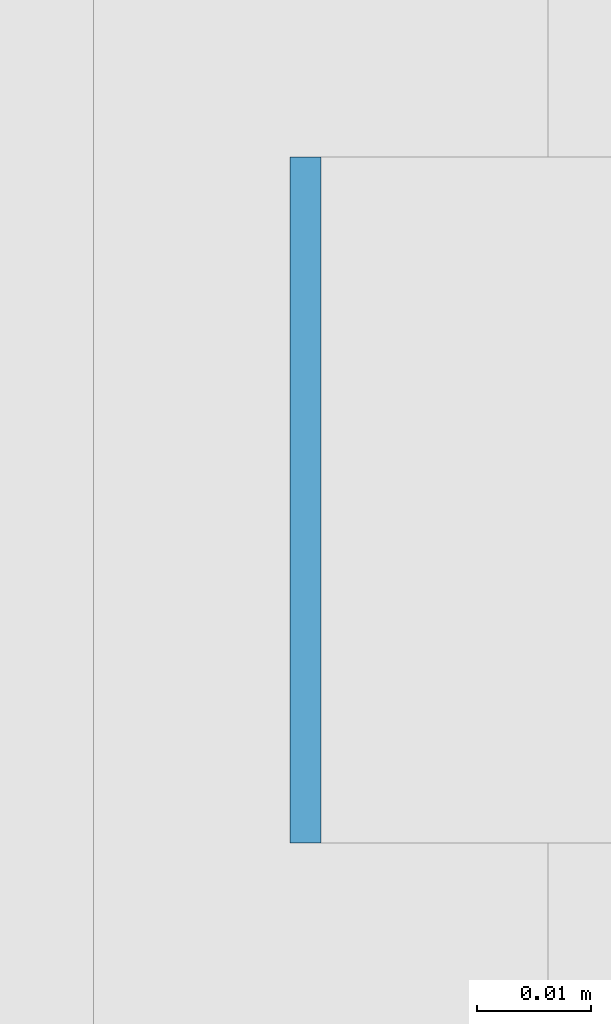
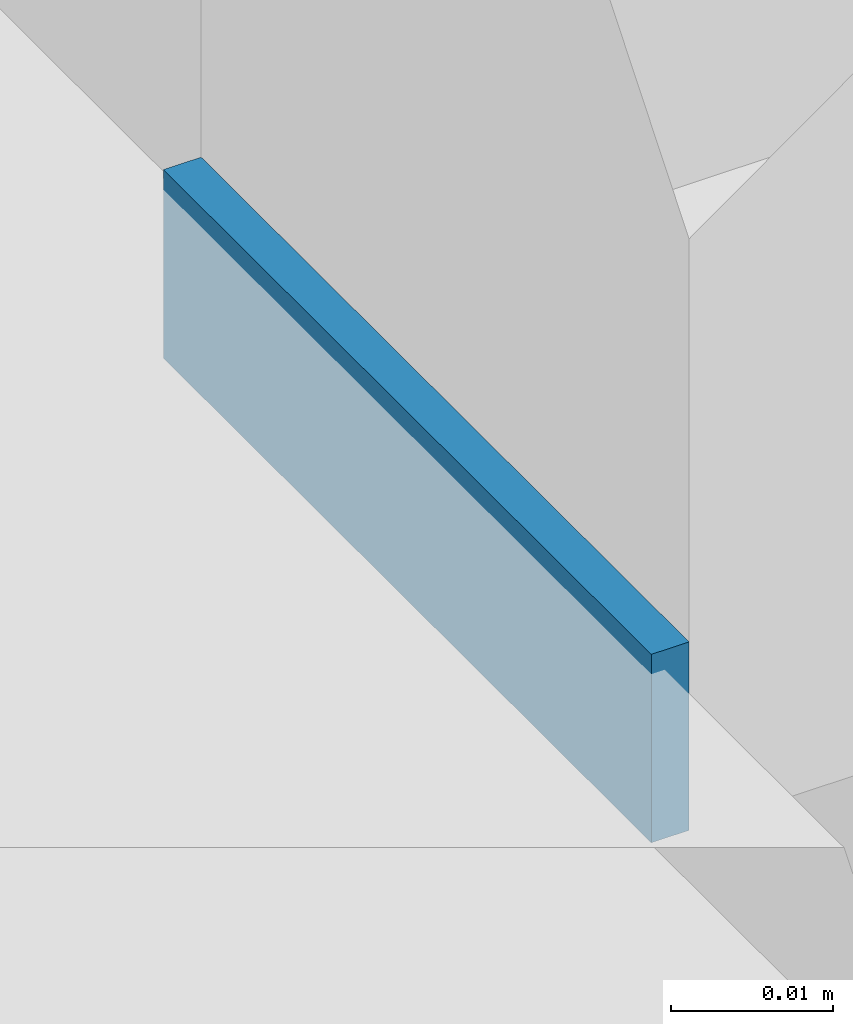
# One storey, part 566 of 646: 1 discrete accessory.
"""IFC4 building model written with IfcOpenShell, lengths in metres."""

from ifc_helpers import new_model, si_unit, direction, frame, origin, origin_2d, place, context, subcontext, project, spatial, rectangle, extrude, material, type_object, element, save


model = new_model("IFC4")

# Units and contexts
model_context = context("Model", 3, precision=1e-05, world=origin(), true_north=direction((0.0, 1.0)))
body_context = subcontext(model_context, "Body", "Model", "MODEL_VIEW")
ifc_project = project(units=[si_unit("LENGTHUNIT", "METRE"), si_unit("AREAUNIT", "SQUARE_METRE"), si_unit("VOLUMEUNIT", "CUBIC_METRE"), si_unit("PLANEANGLEUNIT", "RADIAN"), si_unit("MASSUNIT", "GRAM", prefix="KILO")], contexts=[model_context])

# Site, building, storey
site_placement = place(None, origin())
site = spatial("IfcSite", under=ifc_project, at=site_placement, CompositionType="ELEMENT")
building_placement = place(site_placement, origin())
building = spatial("IfcBuilding", under=site, at=building_placement, Name="Silverbay Arena", CompositionType="ELEMENT")
storey_placement = place(building_placement, frame((0.0, 0.0, 33.5)))
storey = spatial("IfcBuildingStorey", under=building, at=storey_placement, Name="L05", CompositionType="ELEMENT", Elevation=33.5)

# Discrete accessory
ifc_material = material(Name="Steel S355", Category="steel")
discrete_accessory_type = type_object("IfcDiscreteAccessoryType", Name="Steel bracket plate", PredefinedType="BRACKET", material=ifc_material)
discrete_accessory_placement = place(storey_placement, frame((207.128662109375, 104.142822265625, 4.0), z_axis=(0.0, 0.0, 1.0), x_axis=(1.0, 0.0, 0.0)))
element("IfcDiscreteAccessory", 1, at=discrete_accessory_placement, inside=storey, type_object=discrete_accessory_type, Name="Curtain wall packing plate", PredefinedType="BRACKET", context=body_context, shape_type="SweptSolid", body=[
    extrude(rectangle(XDim=0.002685546875, YDim=0.06005859375, at=origin_2d()), origin(), (0.0, 0.0, 1.0), 0.01416015625),
])

save(model, "model.ifc")
